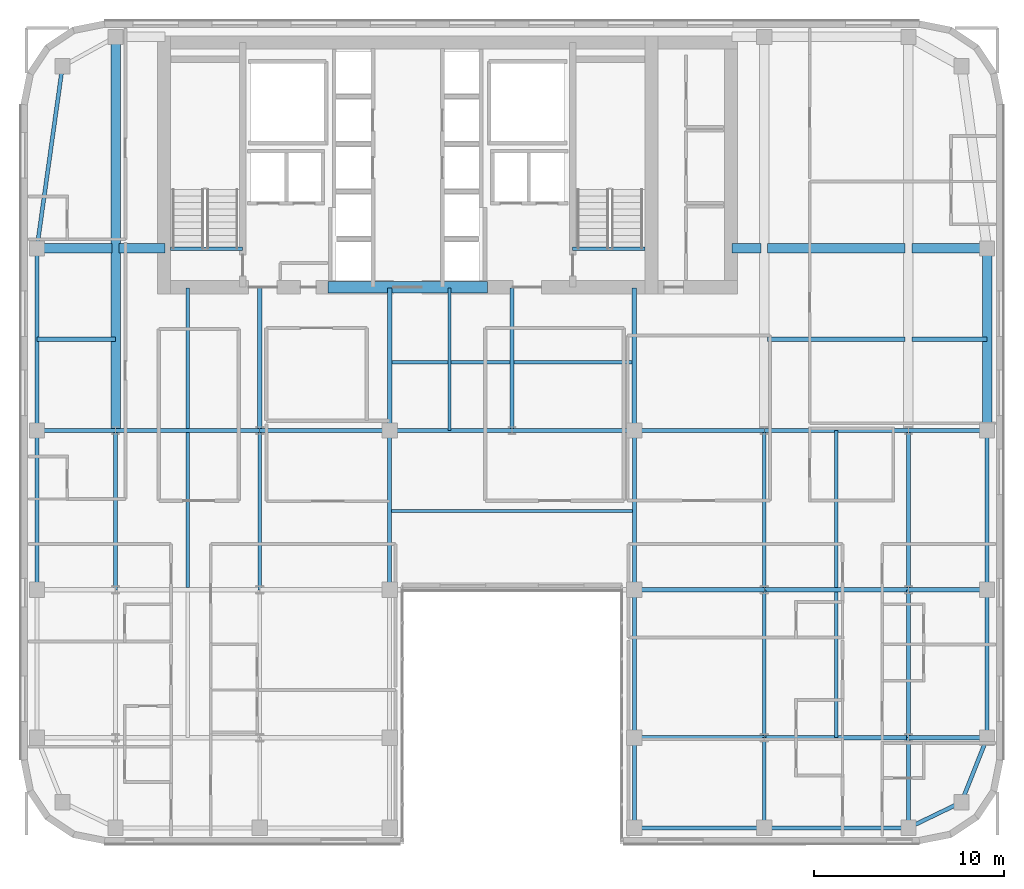
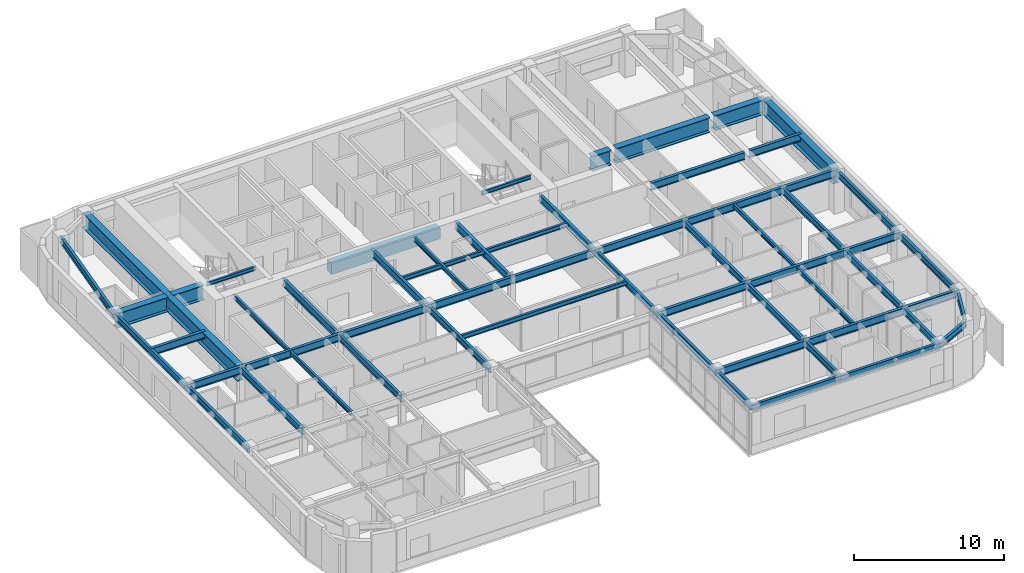
# One storey, part 7 of 20: 59 beams.
"""IFC4 building model written with IfcOpenShell, lengths in metres."""

from ifc_helpers import new_model, si_unit, direction, frame, origin, origin_2d, place, context, subcontext, project, spatial, rectangle, i_section, extrude, source, transform, mapped, material, material_profile, profile_set, type_object, type_shapes, element, save


model = new_model("IFC4")

# Units and contexts
model_context = context("Model", 3, precision=1e-05, world=origin(), true_north=direction((0.0, 1.0)))
body_context = subcontext(model_context, "Body", "Model", "MODEL_VIEW")
ifc_project = project(units=[si_unit("LENGTHUNIT", "METRE"), si_unit("AREAUNIT", "SQUARE_METRE"), si_unit("VOLUMEUNIT", "CUBIC_METRE"), si_unit("PLANEANGLEUNIT", "RADIAN"), si_unit("MASSUNIT", "GRAM", prefix="KILO")], contexts=[model_context])

# Site, building, storey
site_placement = place(None, origin())
site = spatial("IfcSite", under=ifc_project, at=site_placement, CompositionType="ELEMENT")
building_placement = place(site_placement, origin())
building = spatial("IfcBuilding", under=site, at=building_placement, Name="Tolvann Quenvar Hotel", CompositionType="ELEMENT")
storey_placement = place(building_placement, frame((0.0, 0.0, 175.449951171875)))
storey = spatial("IfcBuildingStorey", under=building, at=storey_placement, Name="L46", CompositionType="ELEMENT", Elevation=175.449951171875)

# Beams
ifc_material_1 = material(Name="Concrete N50 (50 MPa)", Category="concrete")
ifc_material_profile_1 = material_profile(ifc_material_1, rectangle(XDim=0.60009765625, YDim=0.89990234375, at=origin_2d()), Name="RC600x900")
ifc_profile_set_1 = profile_set([ifc_material_profile_1], Name="Concrete N50 (50 MPa)")
beam_type_1 = type_object("IfcBeamType", Name="BM_LINT_RC600x900", PredefinedType="LINTEL", material=ifc_profile_set_1)
shared_shape_1 = source(origin(), body_context, "Body", "SweptSolid", [
    extrude(rectangle(XDim=0.60009765625, YDim=0.89990234375, at=origin_2d()), origin(), (0.0, 0.0, 1.0), 8.39990234375),
])
type_shapes(beam_type_1, [shared_shape_1])
beam_1_placement = place(storey_placement, frame((18.800048828125, 31.949951171875, 2.920166015625), z_axis=(1.0, 0.0, 0.0), x_axis=(0.0, 1.0, 0.0)))
element("IfcBeam", 1, at=beam_1_placement, inside=storey, type_object=beam_type_1, Name="Core Coupling Lintel Beam (L46)", PredefinedType="LINTEL", context=body_context, shape_type="MappedRepresentation", body=[
    mapped(shared_shape_1, transform((0.0, 0.0, 0.0), x_axis=(1.0, 0.0, 0.0), y_axis=(0.0, 1.0, 0.0), z_axis=(0.0, 0.0, 1.0), scale=1.0)),
])
ifc_material_2 = material(Name="Steel Grade 350", Category="steel")
ifc_material_profile_2 = material_profile(ifc_material_2, i_section(OverallWidth=0.5, OverallDepth=1.199951171875, WebThickness=0.01611328125, FlangeThickness=0.0400390625, at=origin_2d()), Name="1200WB455")
ifc_profile_set_2 = profile_set([ifc_material_profile_2], Name="Steel Grade 350")
beam_type_2 = type_object("IfcBeamType", Name="BM_TG_1200WB455", PredefinedType="USERDEFINED", material=ifc_profile_set_2)
shared_shape_2 = source(origin(), body_context, "Body", "SweptSolid", [
    extrude(i_section(OverallWidth=0.5, OverallDepth=1.199951171875, WebThickness=0.01611328125, FlangeThickness=0.0400390625, at=origin_2d()), origin(), (0.0, 0.0, 1.0), 9.60009765625),
])
beam_2_placement = place(storey_placement, frame((53.550048828125, 24.39990234375, 2.77001953125), z_axis=(0.0, 1.0, 0.0), x_axis=(-1.0, 0.0, 0.0)))
element("IfcBeam", 2, at=beam_2_placement, inside=storey, type_object=beam_type_2, Name="BM-L46-FLK-E1", ObjectType="TRANSFER GIRDER", PredefinedType="USERDEFINED", context=body_context, shape_type="MappedRepresentation", body=[
    mapped(shared_shape_2, transform((0.0, 0.0, 0.0), x_axis=(1.0, 0.0, 0.0), y_axis=(0.0, 1.0, 0.0), z_axis=(0.0, 0.0, 1.0), scale=1.0)),
])
ifc_material_profile_3 = material_profile(ifc_material_2, i_section(OverallWidth=0.208984375, OverallDepth=0.528076171875, WebThickness=0.009521484375, FlangeThickness=0.01318359375, FilletRadius=0.013916015625, at=origin_2d()), Name="530UB82")
ifc_profile_set_3 = profile_set([ifc_material_profile_3], Name="Steel Grade 350")
beam_type_3 = type_object("IfcBeamType", Name="BM_SPAND_530UB82", PredefinedType="SPANDREL", material=ifc_profile_set_3)
shared_shape_3 = source(origin(), body_context, "Body", "SweptSolid", [
    extrude(i_section(OverallWidth=0.208984375, OverallDepth=0.528076171875, WebThickness=0.009521484375, FlangeThickness=0.01318359375, FilletRadius=0.013916015625, at=origin_2d()), origin(), (0.0, 0.0, 1.0), 7.599853515625),
])
beam_3_placement = place(storey_placement, frame((41.800048828125, 3.449951171875, 3.10595703125), z_axis=(1.0, 0.0, 0.0), x_axis=(0.0, 1.0, 0.0)))
element("IfcBeam", 3, at=beam_3_placement, inside=storey, type_object=beam_type_3, Name="BM-L46-EW-2-H2-I2", PredefinedType="SPANDREL", context=body_context, shape_type="MappedRepresentation", body=[
    mapped(shared_shape_3, transform((0.0, 0.0, 0.0), x_axis=(1.0, 0.0, 0.0), y_axis=(0.0, 1.0, 0.0), z_axis=(0.0, 0.0, 1.0), scale=1.0)),
])
shared_shape_4 = source(origin(), body_context, "Body", "SweptSolid", [
    extrude(i_section(OverallWidth=0.208984375, OverallDepth=0.528076171875, WebThickness=0.009521484375, FlangeThickness=0.01318359375, FilletRadius=0.013916015625, at=origin_2d()), origin(), (0.0, 0.0, 1.0), 6.85009765625),
])
beam_4_placement = place(storey_placement, frame((34.949951171875, 3.449951171875, 3.10595703125), z_axis=(1.0, 0.0, 0.0), x_axis=(0.0, 1.0, 0.0)))
element("IfcBeam", 4, at=beam_4_placement, inside=storey, type_object=beam_type_3, Name="BM-L46-EW-2-F2-H2", PredefinedType="SPANDREL", context=body_context, shape_type="MappedRepresentation", body=[
    mapped(shared_shape_4, transform((0.0, 0.0, 0.0), x_axis=(1.0, 0.0, 0.0), y_axis=(0.0, 1.0, 0.0), z_axis=(0.0, 0.0, 1.0), scale=1.0)),
])
shared_shape_5 = source(origin(), body_context, "Body", "SweptSolid", [
    extrude(i_section(OverallWidth=0.208984375, OverallDepth=0.528076171875, WebThickness=0.009521484375, FlangeThickness=0.01318359375, FilletRadius=0.013916015625, at=origin_2d()), origin(), (0.0, 0.0, 1.0), 7.800048828125),
])
beam_5_placement = place(storey_placement, frame((53.550048828125, 8.199951171875, 3.10595703125), z_axis=(0.0, 1.0, 0.0), x_axis=(-1.0, 0.0, 0.0)))
element("IfcBeam", 5, at=beam_5_placement, inside=storey, type_object=beam_type_3, Name="BM-L46-NS-J3-J4", PredefinedType="SPANDREL", context=body_context, shape_type="MappedRepresentation", body=[
    mapped(shared_shape_5, transform((0.0, 0.0, 0.0), x_axis=(1.0, 0.0, 0.0), y_axis=(0.0, 1.0, 0.0), z_axis=(0.0, 0.0, 1.0), scale=1.0)),
])
shared_shape_6 = source(origin(), body_context, "Body", "SweptSolid", [
    extrude(i_section(OverallWidth=0.208984375, OverallDepth=0.528076171875, WebThickness=0.009521484375, FlangeThickness=0.01318359375, FilletRadius=0.013916015625, at=origin_2d()), origin(), (0.0, 0.0, 1.0), 8.39990234375),
])
for number, where, z_axis, x_axis, name in (
    (6, (3.449951171875, 16.0, 3.10595703125), (0.0, 1.0, 0.0), (-1.0, 0.0, 0.0), "BM-L46-NS-B4-B5"),
    (7, (53.550048828125, 16.0, 3.10595703125), (0.0, 1.0, 0.0), (-1.0, 0.0, 0.0), "BM-L46-NS-J4-J5"),
):
    element("IfcBeam", number, at=place(storey_placement, frame(where, z_axis=z_axis, x_axis=x_axis)), inside=storey, type_object=beam_type_3, Name=name, PredefinedType="SPANDREL", context=body_context, shape_type="MappedRepresentation", body=[
        mapped(shared_shape_6, transform((0.0, 0.0, 0.0), x_axis=(1.0, 0.0, 0.0), y_axis=(0.0, 1.0, 0.0), z_axis=(0.0, 0.0, 1.0), scale=1.0)),
    ])
ifc_material_profile_4 = material_profile(ifc_material_2, i_section(OverallWidth=0.208984375, OverallDepth=0.532958984375, WebThickness=0.01025390625, FlangeThickness=0.015625, FilletRadius=0.013916015625, at=origin_2d()), Name="530UB92")
ifc_profile_set_4 = profile_set([ifc_material_profile_4], Name="Steel Grade 350")
beam_type_4 = type_object("IfcBeamType", Name="BM_GIRD_530UB92", PredefinedType="BEAM", material=ifc_profile_set_4)
shared_shape_7 = source(origin(), body_context, "Body", "SweptSolid", [
    extrude(i_section(OverallWidth=0.208984375, OverallDepth=0.532958984375, WebThickness=0.01025390625, FlangeThickness=0.015625, FilletRadius=0.013916015625, at=origin_2d()), origin(), (0.0, 0.0, 1.0), 7.800048828125),
])
for number, where, z_axis, x_axis, name in (
    (8, (34.949951171875, 8.199951171875, 3.103515625), (0.0, 1.0, 0.0), (-1.0, 0.0, 0.0), "BM-L46-NS-F3-F4"),
    (9, (41.800048828125, 8.199951171875, 3.103515625), (0.0, 1.0, 0.0), (-1.0, 0.0, 0.0), "BM-L46-NS-H3-H4"),
    (10, (49.39990234375, 8.199951171875, 3.103515625), (0.0, 1.0, 0.0), (-1.0, 0.0, 0.0), "BM-L46-NS-I3-I4"),
):
    element("IfcBeam", number, at=place(storey_placement, frame(where, z_axis=z_axis, x_axis=x_axis)), inside=storey, type_object=beam_type_4, Name=name, PredefinedType="BEAM", context=body_context, shape_type="MappedRepresentation", body=[
        mapped(shared_shape_7, transform((0.0, 0.0, 0.0), x_axis=(1.0, 0.0, 0.0), y_axis=(0.0, 1.0, 0.0), z_axis=(0.0, 0.0, 1.0), scale=1.0)),
    ])
shared_shape_8 = source(origin(), body_context, "Body", "SweptSolid", [
    extrude(i_section(OverallWidth=0.208984375, OverallDepth=0.532958984375, WebThickness=0.01025390625, FlangeThickness=0.015625, FilletRadius=0.013916015625, at=origin_2d()), origin(), (0.0, 0.0, 1.0), 8.39990234375),
])
for number, where, z_axis, x_axis, name in (
    (11, (7.60009765625, 16.0, 3.103515625), (0.0, 1.0, 0.0), (-1.0, 0.0, 0.0), "BM-L46-NS-C4-C5"),
    (12, (15.199951171875, 16.0, 3.103515625), (0.0, 1.0, 0.0), (-1.0, 0.0, 0.0), "BM-L46-NS-D4-D5"),
    (13, (22.050048828125, 16.0, 3.103515625), (0.0, 1.0, 0.0), (-1.0, 0.0, 0.0), "BM-L46-NS-E4-E5"),
    (14, (34.949951171875, 16.0, 3.103515625), (0.0, 1.0, 0.0), (-1.0, 0.0, 0.0), "BM-L46-NS-F4-F5"),
    (15, (41.800048828125, 16.0, 3.103515625), (0.0, 1.0, 0.0), (-1.0, 0.0, 0.0), "BM-L46-NS-H4-H5"),
    (16, (49.39990234375, 16.0, 3.103515625), (0.0, 1.0, 0.0), (-1.0, 0.0, 0.0), "BM-L46-NS-I4-I5"),
):
    element("IfcBeam", number, at=place(storey_placement, frame(where, z_axis=z_axis, x_axis=x_axis)), inside=storey, type_object=beam_type_4, Name=name, PredefinedType="BEAM", context=body_context, shape_type="MappedRepresentation", body=[
        mapped(shared_shape_8, transform((0.0, 0.0, 0.0), x_axis=(1.0, 0.0, 0.0), y_axis=(0.0, 1.0, 0.0), z_axis=(0.0, 0.0, 1.0), scale=1.0)),
    ])
shared_shape_9 = source(origin(), body_context, "Body", "SweptSolid", [
    extrude(i_section(OverallWidth=0.208984375, OverallDepth=0.528076171875, WebThickness=0.009521484375, FlangeThickness=0.01318359375, FilletRadius=0.013916015625, at=origin_2d()), origin(), (0.0, 0.0, 1.0), 9.60009765625),
])
beam_6_placement = place(storey_placement, frame((3.449951171875, 24.39990234375, 3.10595703125), z_axis=(0.0, 1.0, 0.0), x_axis=(-1.0, 0.0, 0.0)))
element("IfcBeam", 17, at=beam_6_placement, inside=storey, type_object=beam_type_3, Name="BM-L46-FLK-W1", PredefinedType="SPANDREL", context=body_context, shape_type="MappedRepresentation", body=[
    mapped(shared_shape_9, transform((0.0, 0.0, 0.0), x_axis=(1.0, 0.0, 0.0), y_axis=(0.0, 1.0, 0.0), z_axis=(0.0, 0.0, 1.0), scale=1.0)),
])
shared_shape_10 = source(origin(), body_context, "Body", "SweptSolid", [
    extrude(i_section(OverallWidth=0.5, OverallDepth=1.199951171875, WebThickness=0.01611328125, FlangeThickness=0.0400390625, at=origin_2d()), origin(), (0.0, 0.0, 1.0), 20.75),
])
beam_7_placement = place(storey_placement, frame((7.60009765625, 24.39990234375, 2.77001953125), z_axis=(0.0, 1.0, 0.0), x_axis=(-1.0, 0.0, 0.0)))
element("IfcBeam", 18, at=beam_7_placement, inside=storey, type_object=beam_type_2, Name="BM-L46-FLK-WC", ObjectType="TRANSFER GIRDER", PredefinedType="USERDEFINED", context=body_context, shape_type="MappedRepresentation", body=[
    mapped(shared_shape_10, transform((0.0, 0.0, 0.0), x_axis=(1.0, 0.0, 0.0), y_axis=(0.0, 1.0, 0.0), z_axis=(0.0, 0.0, 1.0), scale=1.0)),
])
shared_shape_11 = source(origin(), body_context, "Body", "SweptSolid", [
    extrude(i_section(OverallWidth=0.5, OverallDepth=1.199951171875, WebThickness=0.01611328125, FlangeThickness=0.0400390625, at=origin_2d()), origin(), (0.0, 0.0, 1.0), 2.419921875),
])
beam_8_placement = place(storey_placement, frame((7.780029296875, 34.0, 2.77001953125), z_axis=(1.0, 0.0, 0.0), x_axis=(0.0, 1.0, 0.0)))
element("IfcBeam", 19, at=beam_8_placement, inside=storey, type_object=beam_type_2, Name="BM-L46-CTW-MID2", ObjectType="TRANSFER GIRDER", PredefinedType="USERDEFINED", context=body_context, shape_type="MappedRepresentation", body=[
    mapped(shared_shape_11, transform((0.0, 0.0, 0.0), x_axis=(1.0, 0.0, 0.0), y_axis=(0.0, 1.0, 0.0), z_axis=(0.0, 0.0, 1.0), scale=1.0)),
])
shared_shape_12 = source(origin(), body_context, "Body", "SweptSolid", [
    extrude(i_section(OverallWidth=0.5, OverallDepth=1.199951171875, WebThickness=0.01611328125, FlangeThickness=0.0400390625, at=origin_2d()), origin(), (0.0, 0.0, 1.0), 1.52001953125),
])
beam_9_placement = place(storey_placement, frame((40.10009765625, 34.0, 2.77001953125), z_axis=(1.0, 0.0, 0.0), x_axis=(0.0, 1.0, 0.0)))
element("IfcBeam", 20, at=beam_9_placement, inside=storey, type_object=beam_type_2, Name="BM-L46-CTE-JD6A", ObjectType="TRANSFER GIRDER", PredefinedType="USERDEFINED", context=body_context, shape_type="MappedRepresentation", body=[
    mapped(shared_shape_12, transform((0.0, 0.0, 0.0), x_axis=(1.0, 0.0, 0.0), y_axis=(0.0, 1.0, 0.0), z_axis=(0.0, 0.0, 1.0), scale=1.0)),
])
shared_shape_13 = source(origin(), body_context, "Body", "SweptSolid", [
    extrude(i_section(OverallWidth=0.5, OverallDepth=1.199951171875, WebThickness=0.01611328125, FlangeThickness=0.0400390625, at=origin_2d()), origin(), (0.0, 0.0, 1.0), 7.239990234375),
])
beam_10_placement = place(storey_placement, frame((41.97998046875, 34.0, 2.77001953125), z_axis=(1.0, 0.0, 0.0), x_axis=(0.0, 1.0, 0.0)))
element("IfcBeam", 21, at=beam_10_placement, inside=storey, type_object=beam_type_2, Name="BM-L46-CTE-JD6B", ObjectType="TRANSFER GIRDER", PredefinedType="USERDEFINED", context=body_context, shape_type="MappedRepresentation", body=[
    mapped(shared_shape_13, transform((0.0, 0.0, 0.0), x_axis=(1.0, 0.0, 0.0), y_axis=(0.0, 1.0, 0.0), z_axis=(0.0, 0.0, 1.0), scale=1.0)),
])
ifc_material_profile_5 = material_profile(ifc_material_2, i_section(OverallWidth=0.166015625, OverallDepth=0.306884765625, WebThickness=0.006591796875, FlangeThickness=0.01171875, FilletRadius=0.011474609375, at=origin_2d()), Name="310UB46")
ifc_profile_set_5 = profile_set([ifc_material_profile_5], Name="Steel Grade 350")
beam_type_5 = type_object("IfcBeamType", Name="BM_JOIST_310UB46", PredefinedType="JOIST", material=ifc_profile_set_5)
shared_shape_14 = source(origin(), body_context, "Body", "SweptSolid", [
    extrude(i_section(OverallWidth=0.166015625, OverallDepth=0.306884765625, WebThickness=0.006591796875, FlangeThickness=0.01171875, FilletRadius=0.011474609375, at=origin_2d()), origin(), (0.0, 0.0, 1.0), 3.800048828125),
])
type_shapes(beam_type_5, [shared_shape_14])
for number, where, z_axis, x_axis, name in (
    (22, (10.5, 33.97998046875, 3.216552734375), (1.0, 0.0, 0.0), (0.0, 1.0, 0.0), "BM-HDR-STC1-L47"),
    (23, (31.699951171875, 33.97998046875, 3.216552734375), (1.0, 0.0, 0.0), (0.0, 1.0, 0.0), "BM-HDR-STC2-L47"),
):
    element("IfcBeam", number, at=place(storey_placement, frame(where, z_axis=z_axis, x_axis=x_axis)), inside=storey, type_object=beam_type_5, Name=name, PredefinedType="JOIST", context=body_context, shape_type="MappedRepresentation", body=[
        mapped(shared_shape_14, transform((0.0, 0.0, 0.0), x_axis=(1.0, 0.0, 0.0), y_axis=(0.0, 1.0, 0.0), z_axis=(0.0, 0.0, 1.0), scale=1.0)),
    ])
shared_shape_15 = source(origin(), body_context, "Body", "SweptSolid", [
    extrude(i_section(OverallWidth=0.208984375, OverallDepth=0.528076171875, WebThickness=0.009521484375, FlangeThickness=0.01318359375, FilletRadius=0.013916015625, at=origin_2d()), origin(), (0.0, 0.0, 1.0), 9.694580078125),
])
beam_11_placement = place(storey_placement, frame((3.449951171875, 34.0, 3.10595703125), z_axis=(0.139263320262, 0.990255385055, 0.0), x_axis=(-0.990255385055, 0.139263320262, 0.0)))
element("IfcBeam", 24, at=beam_11_placement, inside=storey, type_object=beam_type_3, Name="BM-L46-FLK-W2", PredefinedType="SPANDREL", context=body_context, shape_type="MappedRepresentation", body=[
    mapped(shared_shape_15, transform((0.0, 0.0, 0.0), x_axis=(1.0, 0.0, 0.0), y_axis=(0.0, 1.0, 0.0), z_axis=(0.0, 0.0, 1.0), scale=1.0)),
])
shared_shape_16 = source(origin(), body_context, "Body", "SweptSolid", [
    extrude(i_section(OverallWidth=0.5, OverallDepth=1.199951171875, WebThickness=0.01611328125, FlangeThickness=0.0400390625, at=origin_2d()), origin(), (0.0, 0.0, 1.0), 3.969970703125),
])
type_shapes(beam_type_2, [shared_shape_2, shared_shape_10, shared_shape_11, shared_shape_12, shared_shape_13, shared_shape_16])
for number, where, z_axis, x_axis, name in (
    (25, (3.449951171875, 34.0, 2.77001953125), (1.0, 0.0, 0.0), (0.0, 1.0, 0.0), "BM-L46-CTW-MID1"),
    (26, (49.580078125, 34.0, 2.77001953125), (1.0, 0.0, 0.0), (0.0, 1.0, 0.0), "BM-L46-CTE-JD6C"),
):
    element("IfcBeam", number, at=place(storey_placement, frame(where, z_axis=z_axis, x_axis=x_axis)), inside=storey, type_object=beam_type_2, Name=name, ObjectType="TRANSFER GIRDER", PredefinedType="USERDEFINED", context=body_context, shape_type="MappedRepresentation", body=[
        mapped(shared_shape_16, transform((0.0, 0.0, 0.0), x_axis=(1.0, 0.0, 0.0), y_axis=(0.0, 1.0, 0.0), z_axis=(0.0, 0.0, 1.0), scale=1.0)),
    ])
ifc_material_profile_6 = material_profile(ifc_material_2, i_section(OverallWidth=0.172119140625, OverallDepth=0.35888671875, WebThickness=0.008056640625, FlangeThickness=0.012939453125, FilletRadius=0.011474609375, at=origin_2d()), Name="360UB57")
ifc_profile_set_6 = profile_set([ifc_material_profile_6], Name="Steel Grade 350")
beam_type_6 = type_object("IfcBeamType", Name="BM_JOIST_360UB57", PredefinedType="JOIST", material=ifc_profile_set_6)
shared_shape_17 = source(origin(), body_context, "Body", "SweptSolid", [
    extrude(i_section(OverallWidth=0.172119140625, OverallDepth=0.35888671875, WebThickness=0.008056640625, FlangeThickness=0.012939453125, FilletRadius=0.011474609375, at=origin_2d()), origin(), (0.0, 0.0, 1.0), 12.89990234375),
])
for number, where, z_axis, x_axis, name in (
    (27, (22.050048828125, 20.14990234375, 3.1904296875), (1.0, 0.0, 0.0), (0.0, 1.0, 0.0), "BM-L46-SPINE-20"),
    (28, (22.050048828125, 28.0, 3.1904296875), (1.0, 0.0, 0.0), (0.0, 1.0, 0.0), "BM-L46-SPINE-28"),
):
    element("IfcBeam", number, at=place(storey_placement, frame(where, z_axis=z_axis, x_axis=x_axis)), inside=storey, type_object=beam_type_6, Name=name, PredefinedType="JOIST", context=body_context, shape_type="MappedRepresentation", body=[
        mapped(shared_shape_17, transform((0.0, 0.0, 0.0), x_axis=(1.0, 0.0, 0.0), y_axis=(0.0, 1.0, 0.0), z_axis=(0.0, 0.0, 1.0), scale=1.0)),
    ])
shared_shape_18 = source(origin(), body_context, "Body", "SweptSolid", [
    extrude(i_section(OverallWidth=0.172119140625, OverallDepth=0.35888671875, WebThickness=0.008056640625, FlangeThickness=0.012939453125, FilletRadius=0.011474609375, at=origin_2d()), origin(), (0.0, 0.0, 1.0), 7.5),
])
beam_12_placement = place(storey_placement, frame((25.199951171875, 24.39990234375, 3.1904296875), z_axis=(0.0, 1.0, 0.0), x_axis=(-1.0, 0.0, 0.0)))
element("IfcBeam", 29, at=beam_12_placement, inside=storey, type_object=beam_type_6, Name="BJ-L46-252-244", PredefinedType="JOIST", context=body_context, shape_type="MappedRepresentation", body=[
    mapped(shared_shape_18, transform((0.0, 0.0, 0.0), x_axis=(1.0, 0.0, 0.0), y_axis=(0.0, 1.0, 0.0), z_axis=(0.0, 0.0, 1.0), scale=1.0)),
])
shared_shape_19 = source(origin(), body_context, "Body", "SweptSolid", [
    extrude(i_section(OverallWidth=0.208984375, OverallDepth=0.528076171875, WebThickness=0.009521484375, FlangeThickness=0.01318359375, FilletRadius=0.013916015625, at=origin_2d()), origin(), (0.0, 0.0, 1.0), 3.108642578125),
])
beam_13_placement = place(storey_placement, frame((49.39990234375, 3.449951171875, 3.10595703125), z_axis=(0.900759354066, 0.434318530646, 0.0), x_axis=(-0.434318530646, 0.900759354066, 0.0)))
element("IfcBeam", 30, at=beam_13_placement, inside=storey, type_object=beam_type_3, Name="BM-L46-EW-2-I2-J2", PredefinedType="SPANDREL", context=body_context, shape_type="MappedRepresentation", body=[
    mapped(shared_shape_19, transform((0.0, 0.0, 0.0), x_axis=(1.0, 0.0, 0.0), y_axis=(0.0, 1.0, 0.0), z_axis=(0.0, 0.0, 1.0), scale=1.0)),
])
ifc_material_profile_7 = material_profile(ifc_material_2, i_section(OverallWidth=0.22802734375, OverallDepth=0.60205078125, WebThickness=0.010498046875, FlangeThickness=0.014892578125, FilletRadius=0.013916015625, at=origin_2d()), Name="610UB101")
ifc_profile_set_7 = profile_set([ifc_material_profile_7], Name="Steel Grade 350")
beam_type_7 = type_object("IfcBeamType", Name="BM_GIRD_610UB101", PredefinedType="BEAM", material=ifc_profile_set_7)
shared_shape_20 = source(origin(), body_context, "Body", "SweptSolid", [
    extrude(i_section(OverallWidth=0.22802734375, OverallDepth=0.60205078125, WebThickness=0.010498046875, FlangeThickness=0.014892578125, FilletRadius=0.013916015625, at=origin_2d()), origin(), (0.0, 0.0, 1.0), 4.150146484375),
])
for number, where, z_axis, x_axis, name in (
    (31, (49.39990234375, 8.199951171875, 3.069091796875), (1.0, 0.0, 0.0), (0.0, 1.0, 0.0), "BM-L46-EW-3-I3-J3"),
    (32, (49.39990234375, 16.0, 3.069091796875), (1.0, 0.0, 0.0), (0.0, 1.0, 0.0), "BM-L46-EW-4-I4-J4"),
    (33, (3.449951171875, 24.39990234375, 3.069091796875), (1.0, 0.0, 0.0), (0.0, 1.0, 0.0), "BM-L46-EW-5-B5-C5"),
    (34, (49.39990234375, 24.39990234375, 3.069091796875), (1.0, 0.0, 0.0), (0.0, 1.0, 0.0), "BM-L46-EW-5-I5-J5"),
    (35, (3.449951171875, 29.199951171875, 3.069091796875), (1.0, 0.0, 0.0), (0.0, 1.0, 0.0), "BM-L46-EW-BC29"),
):
    element("IfcBeam", number, at=place(storey_placement, frame(where, z_axis=z_axis, x_axis=x_axis)), inside=storey, type_object=beam_type_7, Name=name, PredefinedType="BEAM", context=body_context, shape_type="MappedRepresentation", body=[
        mapped(shared_shape_20, transform((0.0, 0.0, 0.0), x_axis=(1.0, 0.0, 0.0), y_axis=(0.0, 1.0, 0.0), z_axis=(0.0, 0.0, 1.0), scale=1.0)),
    ])
shared_shape_21 = source(origin(), body_context, "Body", "SweptSolid", [
    extrude(i_section(OverallWidth=0.22802734375, OverallDepth=0.60205078125, WebThickness=0.010498046875, FlangeThickness=0.014892578125, FilletRadius=0.013916015625, at=origin_2d()), origin(), (0.0, 0.0, 1.0), 7.599853515625),
])
for number, where, z_axis, x_axis, name in (
    (36, (41.800048828125, 8.199951171875, 3.069091796875), (1.0, 0.0, 0.0), (0.0, 1.0, 0.0), "BM-L46-EW-3-H3-I3"),
    (37, (41.800048828125, 16.0, 3.069091796875), (1.0, 0.0, 0.0), (0.0, 1.0, 0.0), "BM-L46-EW-4-H4-I4"),
    (38, (7.60009765625, 24.39990234375, 3.069091796875), (1.0, 0.0, 0.0), (0.0, 1.0, 0.0), "BM-L46-EW-5-C5-D5"),
    (39, (41.800048828125, 24.39990234375, 3.069091796875), (1.0, 0.0, 0.0), (0.0, 1.0, 0.0), "BM-L46-EW-5-H5-I5"),
):
    element("IfcBeam", number, at=place(storey_placement, frame(where, z_axis=z_axis, x_axis=x_axis)), inside=storey, type_object=beam_type_7, Name=name, PredefinedType="BEAM", context=body_context, shape_type="MappedRepresentation", body=[
        mapped(shared_shape_21, transform((0.0, 0.0, 0.0), x_axis=(1.0, 0.0, 0.0), y_axis=(0.0, 1.0, 0.0), z_axis=(0.0, 0.0, 1.0), scale=1.0)),
    ])
shared_shape_22 = source(origin(), body_context, "Body", "SweptSolid", [
    extrude(i_section(OverallWidth=0.22802734375, OverallDepth=0.60205078125, WebThickness=0.010498046875, FlangeThickness=0.014892578125, FilletRadius=0.013916015625, at=origin_2d()), origin(), (0.0, 0.0, 1.0), 6.85009765625),
])
for number, where, z_axis, x_axis, name in (
    (40, (34.949951171875, 8.199951171875, 3.069091796875), (1.0, 0.0, 0.0), (0.0, 1.0, 0.0), "BM-L46-EW-3-F3-H3"),
    (41, (34.949951171875, 16.0, 3.069091796875), (1.0, 0.0, 0.0), (0.0, 1.0, 0.0), "BM-L46-EW-4-F4-H4"),
    (42, (15.199951171875, 24.39990234375, 3.069091796875), (1.0, 0.0, 0.0), (0.0, 1.0, 0.0), "BM-L46-EW-5-D5-E5"),
    (43, (34.949951171875, 24.39990234375, 3.069091796875), (1.0, 0.0, 0.0), (0.0, 1.0, 0.0), "BM-L46-EW-5-F5-H5"),
):
    element("IfcBeam", number, at=place(storey_placement, frame(where, z_axis=z_axis, x_axis=x_axis)), inside=storey, type_object=beam_type_7, Name=name, PredefinedType="BEAM", context=body_context, shape_type="MappedRepresentation", body=[
        mapped(shared_shape_22, transform((0.0, 0.0, 0.0), x_axis=(1.0, 0.0, 0.0), y_axis=(0.0, 1.0, 0.0), z_axis=(0.0, 0.0, 1.0), scale=1.0)),
    ])
shared_shape_23 = source(origin(), body_context, "Body", "SweptSolid", [
    extrude(i_section(OverallWidth=0.22802734375, OverallDepth=0.60205078125, WebThickness=0.010498046875, FlangeThickness=0.014892578125, FilletRadius=0.013916015625, at=origin_2d()), origin(), (0.0, 0.0, 1.0), 6.449951171875),
])
for number, where, z_axis, x_axis, name in (
    (44, (22.050048828125, 24.39990234375, 3.069091796875), (1.0, 0.0, 0.0), (0.0, 1.0, 0.0), "BM-L46-EW-5-E5-M5"),
    (45, (28.5, 24.39990234375, 3.069091796875), (1.0, 0.0, 0.0), (0.0, 1.0, 0.0), "BM-L46-EW-5-M5-F5"),
):
    element("IfcBeam", number, at=place(storey_placement, frame(where, z_axis=z_axis, x_axis=x_axis)), inside=storey, type_object=beam_type_7, Name=name, PredefinedType="BEAM", context=body_context, shape_type="MappedRepresentation", body=[
        mapped(shared_shape_23, transform((0.0, 0.0, 0.0), x_axis=(1.0, 0.0, 0.0), y_axis=(0.0, 1.0, 0.0), z_axis=(0.0, 0.0, 1.0), scale=1.0)),
    ])
shared_shape_24 = source(origin(), body_context, "Body", "SweptSolid", [
    extrude(i_section(OverallWidth=0.208984375, OverallDepth=0.528076171875, WebThickness=0.009521484375, FlangeThickness=0.01318359375, FilletRadius=0.013916015625, at=origin_2d()), origin(), (0.0, 0.0, 1.0), 3.658203125),
])
type_shapes(beam_type_3, [shared_shape_3, shared_shape_4, shared_shape_5, shared_shape_6, shared_shape_9, shared_shape_15, shared_shape_19, shared_shape_24])
beam_14_placement = place(storey_placement, frame((52.199951171875, 4.800048828125, 3.10595703125), z_axis=(0.369065163807, 0.929403521009, 0.0), x_axis=(-0.929403521009, 0.369065163807, 0.0)))
element("IfcBeam", 46, at=beam_14_placement, inside=storey, type_object=beam_type_3, Name="BM-L46-NS-J2-J3", PredefinedType="SPANDREL", context=body_context, shape_type="MappedRepresentation", body=[
    mapped(shared_shape_24, transform((0.0, 0.0, 0.0), x_axis=(1.0, 0.0, 0.0), y_axis=(0.0, 1.0, 0.0), z_axis=(0.0, 0.0, 1.0), scale=1.0)),
])
shared_shape_25 = source(origin(), body_context, "Body", "SweptSolid", [
    extrude(i_section(OverallWidth=0.208984375, OverallDepth=0.532958984375, WebThickness=0.01025390625, FlangeThickness=0.015625, FilletRadius=0.013916015625, at=origin_2d()), origin(), (0.0, 0.0, 1.0), 4.75),
])
type_shapes(beam_type_4, [shared_shape_7, shared_shape_8, shared_shape_25])
for number, where, z_axis, x_axis, name in (
    (47, (34.949951171875, 3.449951171875, 3.103515625), (0.0, 1.0, 0.0), (-1.0, 0.0, 0.0), "BM-L46-NS-F2-F3"),
    (48, (41.800048828125, 3.449951171875, 3.103515625), (0.0, 1.0, 0.0), (-1.0, 0.0, 0.0), "BM-L46-NS-H2-H3"),
    (49, (49.39990234375, 3.449951171875, 3.103515625), (0.0, 1.0, 0.0), (-1.0, 0.0, 0.0), "BM-L46-NS-I2-I3"),
):
    element("IfcBeam", number, at=place(storey_placement, frame(where, z_axis=z_axis, x_axis=x_axis)), inside=storey, type_object=beam_type_4, Name=name, PredefinedType="BEAM", context=body_context, shape_type="MappedRepresentation", body=[
        mapped(shared_shape_25, transform((0.0, 0.0, 0.0), x_axis=(1.0, 0.0, 0.0), y_axis=(0.0, 1.0, 0.0), z_axis=(0.0, 0.0, 1.0), scale=1.0)),
    ])
shared_shape_26 = source(origin(), body_context, "Body", "SweptSolid", [
    extrude(i_section(OverallWidth=0.22802734375, OverallDepth=0.60205078125, WebThickness=0.010498046875, FlangeThickness=0.014892578125, FilletRadius=0.013916015625, at=origin_2d()), origin(), (0.0, 0.0, 1.0), 7.5),
])
for number, where, z_axis, x_axis, name in (
    (50, (15.199951171875, 24.39990234375, 3.069091796875), (0.0, 1.0, 0.0), (-1.0, 0.0, 0.0), "BM-L46-CORE-D5"),
    (51, (22.050048828125, 24.39990234375, 3.069091796875), (0.0, 1.0, 0.0), (-1.0, 0.0, 0.0), "BM-L46-CORE-E5"),
    (52, (34.949951171875, 24.39990234375, 3.069091796875), (0.0, 1.0, 0.0), (-1.0, 0.0, 0.0), "BM-L46-CORE-F5"),
    (53, (28.5, 24.39990234375, 3.069091796875), (0.0, 1.0, 0.0), (-1.0, 0.0, 0.0), "BM-L46-CORE-M5"),
):
    element("IfcBeam", number, at=place(storey_placement, frame(where, z_axis=z_axis, x_axis=x_axis)), inside=storey, type_object=beam_type_7, Name=name, PredefinedType="BEAM", context=body_context, shape_type="MappedRepresentation", body=[
        mapped(shared_shape_26, transform((0.0, 0.0, 0.0), x_axis=(1.0, 0.0, 0.0), y_axis=(0.0, 1.0, 0.0), z_axis=(0.0, 0.0, 1.0), scale=1.0)),
    ])
shared_shape_27 = source(origin(), body_context, "Body", "SweptSolid", [
    extrude(i_section(OverallWidth=0.22802734375, OverallDepth=0.60205078125, WebThickness=0.010498046875, FlangeThickness=0.014892578125, FilletRadius=0.013916015625, at=origin_2d()), origin(), (0.0, 0.0, 1.0), 7.239990234375),
])
beam_15_placement = place(storey_placement, frame((41.97998046875, 29.199951171875, 3.069091796875), z_axis=(1.0, 0.0, 0.0), x_axis=(0.0, 1.0, 0.0)))
element("IfcBeam", 54, at=beam_15_placement, inside=storey, type_object=beam_type_7, Name="BM-L46-EW-HI29", PredefinedType="BEAM", context=body_context, shape_type="MappedRepresentation", body=[
    mapped(shared_shape_27, transform((0.0, 0.0, 0.0), x_axis=(1.0, 0.0, 0.0), y_axis=(0.0, 1.0, 0.0), z_axis=(0.0, 0.0, 1.0), scale=1.0)),
])
shared_shape_28 = source(origin(), body_context, "Body", "SweptSolid", [
    extrude(i_section(OverallWidth=0.22802734375, OverallDepth=0.60205078125, WebThickness=0.010498046875, FlangeThickness=0.014892578125, FilletRadius=0.013916015625, at=origin_2d()), origin(), (0.0, 0.0, 1.0), 3.969970703125),
])
type_shapes(beam_type_7, [shared_shape_20, shared_shape_21, shared_shape_22, shared_shape_23, shared_shape_26, shared_shape_27, shared_shape_28])
beam_16_placement = place(storey_placement, frame((49.580078125, 29.199951171875, 3.069091796875), z_axis=(1.0, 0.0, 0.0), x_axis=(0.0, 1.0, 0.0)))
element("IfcBeam", 55, at=beam_16_placement, inside=storey, type_object=beam_type_7, Name="BM-L46-EW-IJ29", PredefinedType="BEAM", context=body_context, shape_type="MappedRepresentation", body=[
    mapped(shared_shape_28, transform((0.0, 0.0, 0.0), x_axis=(1.0, 0.0, 0.0), y_axis=(0.0, 1.0, 0.0), z_axis=(0.0, 0.0, 1.0), scale=1.0)),
])
shared_shape_29 = source(origin(), body_context, "Body", "SweptSolid", [
    extrude(i_section(OverallWidth=0.172119140625, OverallDepth=0.35888671875, WebThickness=0.008056640625, FlangeThickness=0.012939453125, FilletRadius=0.011474609375, at=origin_2d()), origin(), (0.0, 0.0, 1.0), 7.692138671875),
])
beam_17_placement = place(storey_placement, frame((45.60009765625, 8.199951171875, 3.1904296875), z_axis=(0.0, 1.0, 0.0), x_axis=(-1.0, 0.0, 0.0)))
element("IfcBeam", 56, at=beam_17_placement, inside=storey, type_object=beam_type_6, Name="BJ-L46-456-82", PredefinedType="JOIST", context=body_context, shape_type="MappedRepresentation", body=[
    mapped(shared_shape_29, transform((0.0, 0.0, 0.0), x_axis=(1.0, 0.0, 0.0), y_axis=(0.0, 1.0, 0.0), z_axis=(0.0, 0.0, 1.0), scale=1.0)),
])
shared_shape_30 = source(origin(), body_context, "Body", "SweptSolid", [
    extrude(i_section(OverallWidth=0.172119140625, OverallDepth=0.35888671875, WebThickness=0.008056640625, FlangeThickness=0.012939453125, FilletRadius=0.011474609375, at=origin_2d()), origin(), (0.0, 0.0, 1.0), 8.18408203125),
])
beam_18_placement = place(storey_placement, frame((11.39990234375, 16.10791015625, 3.1904296875), z_axis=(0.0, 1.0, 0.0), x_axis=(-1.0, 0.0, 0.0)))
element("IfcBeam", 57, at=beam_18_placement, inside=storey, type_object=beam_type_6, Name="BJ-L46-114-160", PredefinedType="JOIST", context=body_context, shape_type="MappedRepresentation", body=[
    mapped(shared_shape_30, transform((0.0, 0.0, 0.0), x_axis=(1.0, 0.0, 0.0), y_axis=(0.0, 1.0, 0.0), z_axis=(0.0, 0.0, 1.0), scale=1.0)),
])
shared_shape_31 = source(origin(), body_context, "Body", "SweptSolid", [
    extrude(i_section(OverallWidth=0.172119140625, OverallDepth=0.35888671875, WebThickness=0.008056640625, FlangeThickness=0.012939453125, FilletRadius=0.011474609375, at=origin_2d()), origin(), (0.0, 0.0, 1.0), 7.391845703125),
])
beam_19_placement = place(storey_placement, frame((11.39990234375, 24.508056640625, 3.1904296875), z_axis=(0.0, 1.0, 0.0), x_axis=(-1.0, 0.0, 0.0)))
element("IfcBeam", 58, at=beam_19_placement, inside=storey, type_object=beam_type_6, Name="BJ-L46-114-244", PredefinedType="JOIST", context=body_context, shape_type="MappedRepresentation", body=[
    mapped(shared_shape_31, transform((0.0, 0.0, 0.0), x_axis=(1.0, 0.0, 0.0), y_axis=(0.0, 1.0, 0.0), z_axis=(0.0, 0.0, 1.0), scale=1.0)),
])
shared_shape_32 = source(origin(), body_context, "Body", "SweptSolid", [
    extrude(i_section(OverallWidth=0.172119140625, OverallDepth=0.35888671875, WebThickness=0.008056640625, FlangeThickness=0.012939453125, FilletRadius=0.011474609375, at=origin_2d()), origin(), (0.0, 0.0, 1.0), 8.2919921875),
])
type_shapes(beam_type_6, [shared_shape_17, shared_shape_18, shared_shape_29, shared_shape_30, shared_shape_31, shared_shape_32])
beam_20_placement = place(storey_placement, frame((45.60009765625, 16.10791015625, 3.1904296875), z_axis=(0.0, 1.0, 0.0), x_axis=(-1.0, 0.0, 0.0)))
element("IfcBeam", 59, at=beam_20_placement, inside=storey, type_object=beam_type_6, Name="BJ-L46-456-160", PredefinedType="JOIST", context=body_context, shape_type="MappedRepresentation", body=[
    mapped(shared_shape_32, transform((0.0, 0.0, 0.0), x_axis=(1.0, 0.0, 0.0), y_axis=(0.0, 1.0, 0.0), z_axis=(0.0, 0.0, 1.0), scale=1.0)),
])

save(model, "model.ifc")
